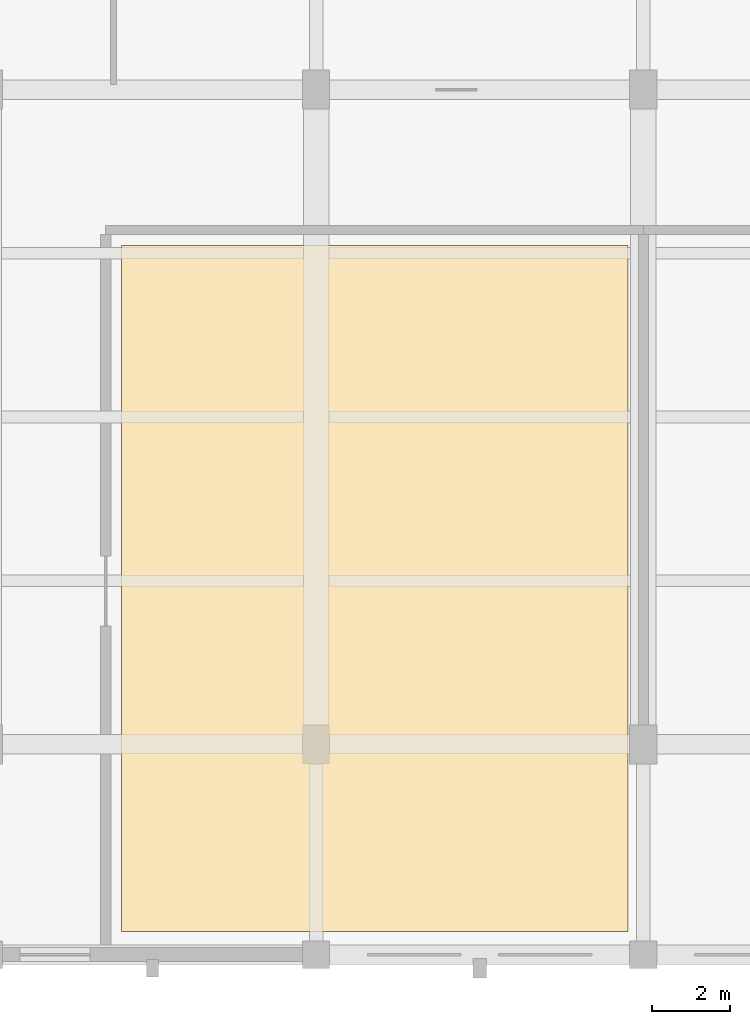
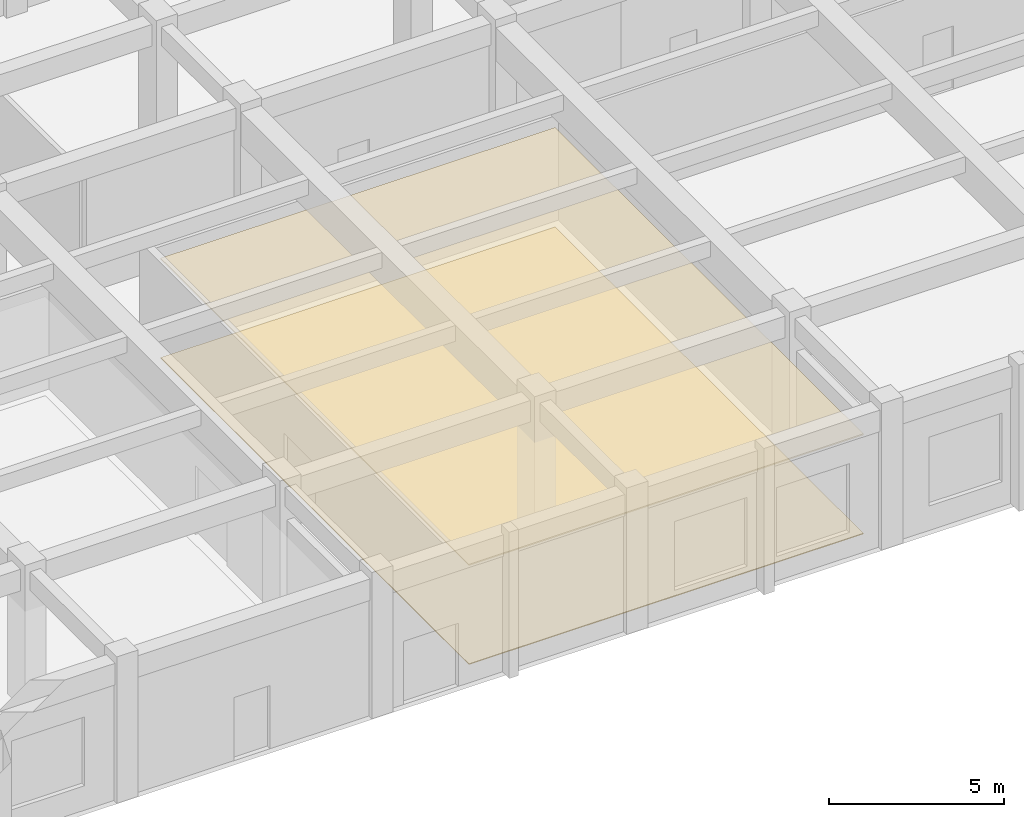
# One storey, part 76 of 80: 2 coverings.
"""IFC4 building model written with IfcOpenShell, lengths in metres."""

from ifc_helpers import new_model, si_unit, direction, frame, origin, place, context, subcontext, project, spatial, polyline, outline, extrude, material, layer, layer_set, type_object, element, save


model = new_model("IFC4")

# Units and contexts
model_context = context("Model", 3, precision=1e-05, world=origin(), true_north=direction((0.0, 1.0)))
body_context = subcontext(model_context, "Body", "Model", "MODEL_VIEW")
ifc_project = project(units=[si_unit("LENGTHUNIT", "METRE"), si_unit("AREAUNIT", "SQUARE_METRE"), si_unit("VOLUMEUNIT", "CUBIC_METRE"), si_unit("PLANEANGLEUNIT", "RADIAN"), si_unit("MASSUNIT", "GRAM", prefix="KILO")], contexts=[model_context])

# Site, building, storey
site_placement = place(None, origin())
site = spatial("IfcSite", under=ifc_project, at=site_placement, CompositionType="ELEMENT")
building_placement = place(site_placement, origin())
building = spatial("IfcBuilding", under=site, at=building_placement, Name="Krzemoval Escarpment Law Courts", CompositionType="ELEMENT")
storey_placement = place(building_placement, origin())
storey = spatial("IfcBuildingStorey", under=building, at=storey_placement, Name="L00", CompositionType="ELEMENT", Elevation=0.0)

# Coverings
ifc_material_1 = material(Name="Micro-Perforated Acoustic Timber and Mineral Fibre Ceiling", Category="wood")
ifc_layer_1 = layer(ifc_material_1, 0.044921875)
ifc_layer_set_1 = layer_set([ifc_layer_1], Name="Micro-Perforated Acoustic Timber and Mineral Fibre Ceiling")
covering_type_1 = type_object("IfcCoveringType", Name="COV-CLG-AC60", PredefinedType="CEILING", material=ifc_layer_set_1)
covering_1_placement = place(storey_placement, frame((0.0, 0.0, 3.449951171875)))
element("IfcCovering", 1, at=covering_1_placement, inside=storey, type_object=covering_type_1, Name="Acoustic Courtroom Ceiling CLG-L00-05", PredefinedType="CEILING", context=body_context, shape_type="SweptSolid", body=[
    extrude(outline(polyline([(70.60009765625, 0.60009765625), (70.60009765625, 18.199951171875), (83.60009765625, 18.199951171875), (83.60009765625, 0.60009765625), (70.60009765625, 0.60009765625)])), origin(), (0.0, 0.0, 1.0), 0.045166015625),
])
ifc_material_2 = material(Name="Honed Silesian Granite Stone Flooring", Category="masonry")
ifc_layer_2 = layer(ifc_material_2, 0.030029296875)
ifc_layer_set_2 = layer_set([ifc_layer_2], Name="Honed Silesian Granite Stone Flooring")
covering_type_2 = type_object("IfcCoveringType", Name="COV-FLR-STN30", PredefinedType="FLOORING", material=ifc_layer_set_2)
covering_2_placement = place(storey_placement, origin())
element("IfcCovering", 2, at=covering_2_placement, inside=storey, type_object=covering_type_2, Name="Stone Floor Finish FLR-L00-05", PredefinedType="FLOORING", context=body_context, shape_type="SweptSolid", body=[
    extrude(outline(polyline([(70.60009765625, 0.60009765625), (70.60009765625, 18.199951171875), (83.60009765625, 18.199951171875), (83.60009765625, 0.60009765625), (70.60009765625, 0.60009765625)])), origin(), (0.0, 0.0, 1.0), 0.030029296875),
])

save(model, "model.ifc")
